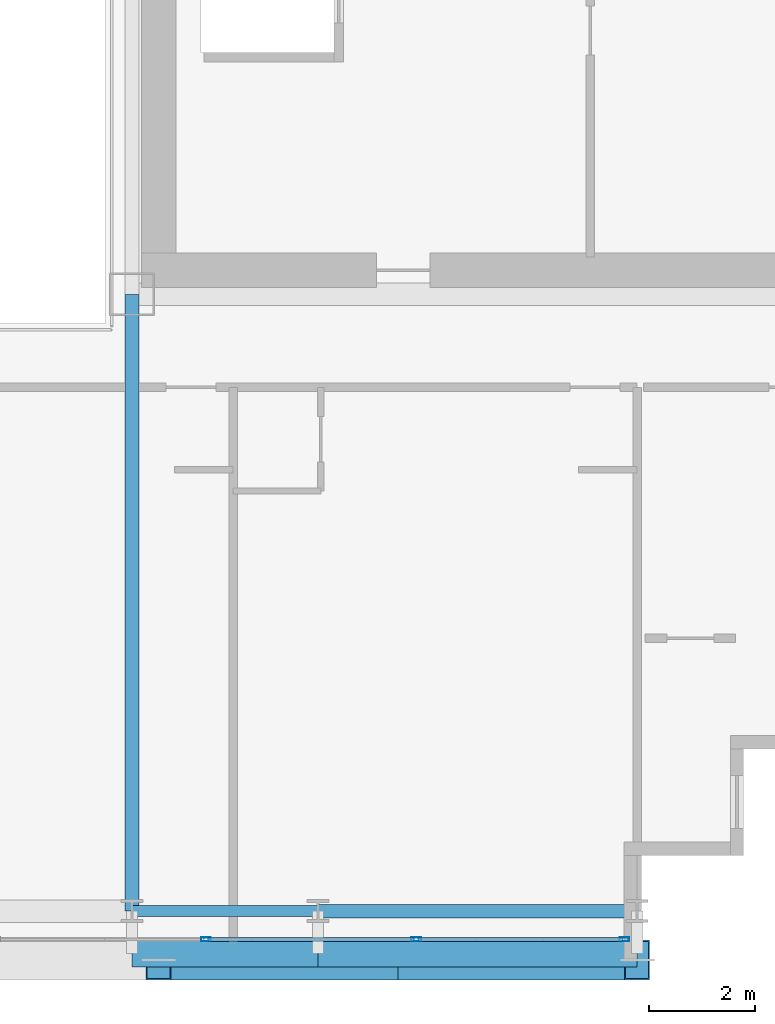
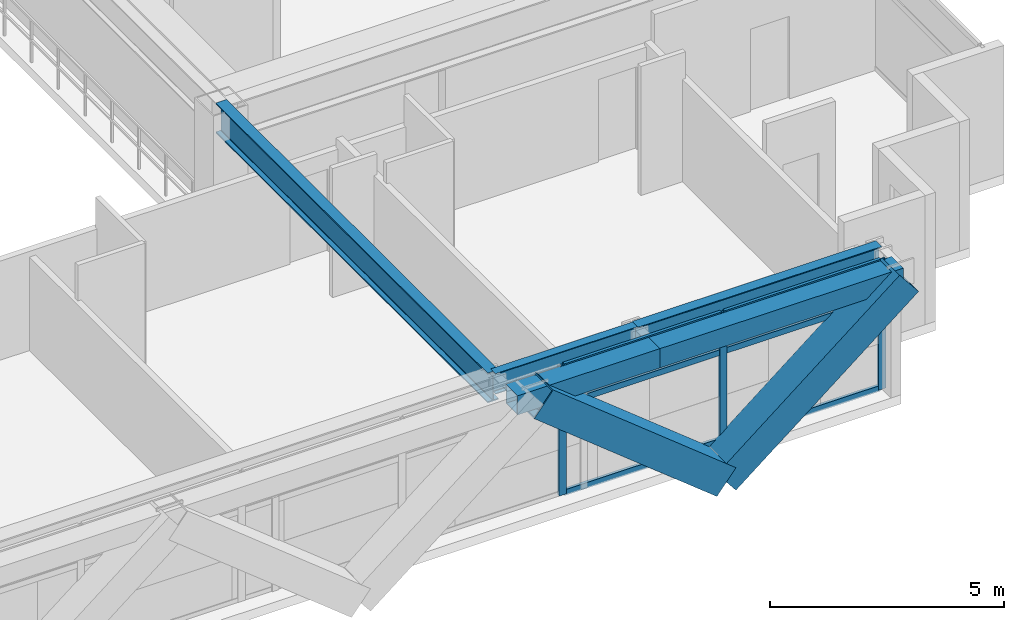
# One storey, part 10 of 35: 11 members, 5 beams, 1 element without a shape of its own.
"""IFC4 building model written with IfcOpenShell, lengths in metres."""

from ifc_helpers import new_model, si_unit, direction, frame, origin, origin_2d, place, context, subcontext, project, spatial, hollow_rectangle, i_section, extrude, source, transform, mapped, material, layer, layer_set, material_profile, profile_set, type_object, element, aggregate, save


model = new_model("IFC4")

# Units and contexts
model_context = context("Model", 3, precision=1e-05, world=origin(), true_north=direction((0.0, 1.0)))
body_context = subcontext(model_context, "Body", "Model", "MODEL_VIEW")
ifc_project = project(units=[si_unit("LENGTHUNIT", "METRE"), si_unit("AREAUNIT", "SQUARE_METRE"), si_unit("VOLUMEUNIT", "CUBIC_METRE"), si_unit("PLANEANGLEUNIT", "RADIAN"), si_unit("MASSUNIT", "GRAM", prefix="KILO")], contexts=[model_context])

# Site, building, storey
site_placement = place(None, origin())
site = spatial("IfcSite", under=ifc_project, at=site_placement, CompositionType="ELEMENT")
building_placement = place(site_placement, origin())
building = spatial("IfcBuilding", under=site, at=building_placement, Name="Ocotamira Hotel", CompositionType="ELEMENT")
storey_placement = place(building_placement, frame((0.0, 0.0, 144.0)))
storey = spatial("IfcBuildingStorey", under=building, at=storey_placement, Name="L36", CompositionType="ELEMENT", Elevation=144.0)

# Beams
ifc_material_1 = material(Name="Steel ASTM A992 Grade 50", Category="steel")
ifc_material_profile_1 = material_profile(ifc_material_1, i_section(OverallWidth=0.256103515625, OverallDepth=0.693115234375, WebThickness=0.014404296875, FlangeThickness=0.023681640625, FilletRadius=0.01611328125, at=origin_2d()), Name="W27X114")
ifc_profile_set_1 = profile_set([ifc_material_profile_1], Name="Steel ASTM A992 Grade 50")
beam_type_1 = type_object("IfcBeamType", Name="BM-PRIM-W27X114", PredefinedType="BEAM", material=ifc_profile_set_1)
shared_shape_1 = source(origin(), body_context, "Body", "SweptSolid", [
    extrude(i_section(OverallWidth=0.256103515625, OverallDepth=0.693115234375, WebThickness=0.014404296875, FlangeThickness=0.023681640625, FilletRadius=0.01611328125, at=origin_2d()), origin(), (0.0, 0.0, 1.0), 6.0),
])
beam_1_placement = place(storey_placement, frame((44.0, 2.949951171875, 3.013427734375), z_axis=(1.0, 0.0, 0.0), x_axis=(0.0, 1.0, 0.0)))
element("IfcBeam", 1, at=beam_1_placement, inside=storey, type_object=beam_type_1, Name="L36 Girder Y2.95 X44-50", PredefinedType="BEAM", context=body_context, shape_type="MappedRepresentation", body=[
    mapped(shared_shape_1, transform((0.0, 0.0, 0.0), scale=1.0)),
])
ifc_material_profile_2 = material_profile(ifc_material_1, i_section(OverallWidth=0.2099609375, OverallDepth=0.537109375, WebThickness=0.010986328125, FlangeThickness=0.017333984375, FilletRadius=0.012939453125, at=origin_2d()), Name="W21X68")
ifc_profile_set_2 = profile_set([ifc_material_profile_2], Name="Steel ASTM A992 Grade 50")
beam_type_2 = type_object("IfcBeamType", Name="BM-SEC-W21X68", PredefinedType="JOIST", material=ifc_profile_set_2)
shared_shape_2 = source(origin(), body_context, "Body", "SweptSolid", [
    extrude(i_section(OverallWidth=0.2099609375, OverallDepth=0.537109375, WebThickness=0.010986328125, FlangeThickness=0.017333984375, FilletRadius=0.012939453125, at=origin_2d()), origin(), (0.0, 0.0, 1.0), 3.5),
])
beam_2_placement = place(storey_placement, frame((40.5, 2.949951171875, 3.091552734375), z_axis=(1.0, 0.0, 0.0), x_axis=(0.0, 1.0, 0.0)))
element("IfcBeam", 2, at=beam_2_placement, inside=storey, type_object=beam_type_2, Name="L36 Girder Y2.95 X40.5-44", PredefinedType="JOIST", context=body_context, shape_type="MappedRepresentation", body=[
    mapped(shared_shape_2, transform((0.0, 0.0, 0.0), scale=1.0)),
])
ifc_material_profile_3 = material_profile(ifc_material_1, i_section(OverallWidth=0.26611328125, OverallDepth=0.779052734375, WebThickness=0.0166015625, FlangeThickness=0.030029296875, FilletRadius=0.01806640625, at=origin_2d()), Name="W30X148")
ifc_profile_set_3 = profile_set([ifc_material_profile_3], Name="Steel ASTM A992 Grade 50")
beam_type_3 = type_object("IfcBeamType", Name="BM-GIRD-W30X148", PredefinedType="BEAM", material=ifc_profile_set_3)
shared_shape_3 = source(origin(), body_context, "Body", "SweptSolid", [
    extrude(i_section(OverallWidth=0.26611328125, OverallDepth=0.779052734375, WebThickness=0.0166015625, FlangeThickness=0.030029296875, FilletRadius=0.01806640625, at=origin_2d()), origin(), (0.0, 0.0, 1.0), 11.60009765625),
])
beam_3_placement = place(storey_placement, frame((40.5, 2.949951171875, 2.970458984375), z_axis=(0.0, 1.0, 0.0), x_axis=(-1.0, 0.0, 0.0)))
element("IfcBeam", 3, at=beam_3_placement, inside=storey, type_object=beam_type_3, Name="L36 Beam X40.5 Y2.95-14.55", PredefinedType="BEAM", context=body_context, shape_type="MappedRepresentation", body=[
    mapped(shared_shape_3, transform((0.0, 0.0, 0.0), scale=1.0)),
])
ifc_material_2 = material(Name="Steel ASTM A500 Grade C", Category="steel")
ifc_material_profile_4 = material_profile(ifc_material_2, hollow_rectangle(XDim=0.5, YDim=0.5, WallThickness=0.02001953125, at=origin_2d()), Name="HSS500X500X20")
ifc_profile_set_4 = profile_set([ifc_material_profile_4], Name="Steel ASTM A500 Grade C")
beam_type_4 = type_object("IfcBeamType", Name="BM-SPAN-HSS500", PredefinedType="USERDEFINED", material=ifc_profile_set_4)
shared_shape_4 = source(origin(), body_context, "Body", "SweptSolid", [
    extrude(hollow_rectangle(XDim=0.5, YDim=0.5, WallThickness=0.02001953125, at=origin_2d()), origin(), (0.0, 0.0, 1.0), 6.0),
])
beam_4_placement = place(storey_placement, frame((44.0, 2.14990234375, 3.110107421875), z_axis=(1.0, 0.0, 0.0), x_axis=(0.0, 1.0, 0.0)))
element("IfcBeam", 4, at=beam_4_placement, inside=storey, type_object=beam_type_4, Name="L36 Edge Spandrel S X44-50", ObjectType="SPANDREL", PredefinedType="USERDEFINED", context=body_context, shape_type="MappedRepresentation", body=[
    mapped(shared_shape_4, transform((0.0, 0.0, 0.0), scale=1.0)),
])
shared_shape_5 = source(origin(), body_context, "Body", "SweptSolid", [
    extrude(hollow_rectangle(XDim=0.5, YDim=0.5, WallThickness=0.02001953125, at=origin_2d()), origin(), (0.0, 0.0, 1.0), 3.5),
])
beam_5_placement = place(storey_placement, frame((40.5, 2.14990234375, 3.110107421875), z_axis=(1.0, 0.0, 0.0), x_axis=(0.0, 1.0, 0.0)))
element("IfcBeam", 5, at=beam_5_placement, inside=storey, type_object=beam_type_4, Name="L36 Edge Spandrel S X40.5-44", ObjectType="SPANDREL", PredefinedType="USERDEFINED", context=body_context, shape_type="MappedRepresentation", body=[
    mapped(shared_shape_5, transform((0.0, 0.0, 0.0), scale=1.0)),
])

# Members
ifc_material_3 = material(Name="Pale-metal coated steel ASTM A913 Grade 65", Category="steel")
ifc_material_profile_5 = material_profile(ifc_material_3, hollow_rectangle(XDim=0.75, YDim=0.75, WallThickness=0.028076171875, at=origin_2d()), Name="BOX750X750X28")
ifc_profile_set_5 = profile_set([ifc_material_profile_5], Name="Pale-metal coated steel ASTM A913 Grade 65")
member_type_1 = type_object("IfcMemberType", Name="MEM-EXO-BOX750", PredefinedType="BRACE", material=ifc_profile_set_5)
shared_shape_6 = source(origin(), body_context, "Body", "SweptSolid", [
    extrude(hollow_rectangle(XDim=0.75, YDim=0.75, WallThickness=0.028076171875, at=origin_2d()), origin(), (0.0, 0.0, 1.0), 5.762939453125),
])
for number, where, z_axis, x_axis, name in (
    (6, (45.5, 2.030029296875, -0.489990234375), (-0.780860543151, 0.0, 0.624705380279), (0.0, -1.0, 0.0), "L36 Exoskeleton Diagrid S3.1"),
    (7, (45.5, 2.030029296875, -0.489990234375), (0.780860543151, 0.0, 0.624705380279), (0.0, 1.0, 0.0), "L36 Exoskeleton Diagrid S3.2"),
):
    element("IfcMember", number, at=place(storey_placement, frame(where, z_axis=z_axis, x_axis=x_axis)), inside=storey, type_object=member_type_1, Name=name, PredefinedType="BRACE", context=body_context, shape_type="MappedRepresentation", body=[
        mapped(shared_shape_6, transform((0.0, 0.0, 0.0), scale=1.0)),
    ])

# Curtain wall, members
ifc_material_4 = material(Name="Anodised pale-metal aluminium and solar glass", Category="aluminium")
ifc_layer = layer(ifc_material_4, 0.179931640625)
ifc_layer_set = layer_set([ifc_layer], Name="Anodised pale-metal aluminium and solar glass")
curtain_wall_type = type_object("IfcCurtainWallType", Name="CW-SYS3-Z2", PredefinedType="NOTDEFINED", material=ifc_layer_set)
curtain_wall_placement = place(storey_placement, origin())
curtain_wall = element("IfcCurtainWall", 8, at=curtain_wall_placement, inside=storey, type_object=curtain_wall_type, Name="L36 Curtain Wall CW-3 CW-L36-S1", PredefinedType="NOTDEFINED")
ifc_material_5 = material(Name="Anodised pale-metal aluminium 6063-T6", Category="aluminium")
ifc_material_profile_6 = material_profile(ifc_material_5, hollow_rectangle(XDim=0.074951171875, YDim=0.14990234375, WallThickness=0.006103515625, at=origin_2d()), Name="HSS150X75X6")
ifc_profile_set_6 = profile_set([ifc_material_profile_6], Name="Anodised pale-metal aluminium 6063-T6")
member_type_2 = type_object("IfcMemberType", Name="CWT-150X75", PredefinedType="USERDEFINED", material=ifc_profile_set_6)
shared_shape_7 = source(origin(), body_context, "Body", "SweptSolid", [
    extrude(hollow_rectangle(XDim=0.074951171875, YDim=0.14990234375, WallThickness=0.006103515625, at=origin_2d()), origin(), (0.0, 0.0, 1.0), 3.83544921875),
])
member_1_placement = place(storey_placement, frame((45.884521484375, 2.419921875, 0.03759765625), z_axis=(1.0, 0.0, 0.0), x_axis=(0.0, 1.0, 0.0)))
member_1 = element("IfcMember", 9, at=member_1_placement, type_object=member_type_2, Name="CW-3 transom 9.1", ObjectType="TRANSOM", PredefinedType="USERDEFINED", context=body_context, shape_type="MappedRepresentation", body=[
    mapped(shared_shape_7, transform((0.0, 0.0, 0.0), scale=1.0)),
])
member_2_placement = place(storey_placement, frame((45.884521484375, 2.419921875, 2.35009765625), z_axis=(1.0, 0.0, 0.0), x_axis=(0.0, 1.0, 0.0)))
member_2 = element("IfcMember", 10, at=member_2_placement, type_object=member_type_2, Name="CW-3 transom 9.2", ObjectType="TRANSOM", PredefinedType="USERDEFINED", context=body_context, shape_type="MappedRepresentation", body=[
    mapped(shared_shape_7, transform((0.0, 0.0, 0.0), scale=1.0)),
])
member_3_placement = place(storey_placement, frame((45.884521484375, 2.419921875, 3.322509765625), z_axis=(1.0, 0.0, 0.0), x_axis=(0.0, 1.0, 0.0)))
member_3 = element("IfcMember", 11, at=member_3_placement, type_object=member_type_2, Name="CW-3 transom 9.3", ObjectType="TRANSOM", PredefinedType="USERDEFINED", context=body_context, shape_type="MappedRepresentation", body=[
    mapped(shared_shape_7, transform((0.0, 0.0, 0.0), scale=1.0)),
])
shared_shape_8 = source(origin(), body_context, "Body", "SweptSolid", [
    extrude(hollow_rectangle(XDim=0.074951171875, YDim=0.14990234375, WallThickness=0.006103515625, at=origin_2d()), origin(), (0.0, 0.0, 1.0), 3.87548828125),
])
member_4_placement = place(storey_placement, frame((41.928955078125, 2.419921875, 0.03759765625), z_axis=(1.0, 0.0, 0.0), x_axis=(0.0, 1.0, 0.0)))
member_4 = element("IfcMember", 12, at=member_4_placement, type_object=member_type_2, Name="CW-3 transom 8.1", ObjectType="TRANSOM", PredefinedType="USERDEFINED", context=body_context, shape_type="MappedRepresentation", body=[
    mapped(shared_shape_8, transform((0.0, 0.0, 0.0), scale=1.0)),
])
member_5_placement = place(storey_placement, frame((41.928955078125, 2.419921875, 2.35009765625), z_axis=(1.0, 0.0, 0.0), x_axis=(0.0, 1.0, 0.0)))
member_5 = element("IfcMember", 13, at=member_5_placement, type_object=member_type_2, Name="CW-3 transom 8.2", ObjectType="TRANSOM", PredefinedType="USERDEFINED", context=body_context, shape_type="MappedRepresentation", body=[
    mapped(shared_shape_8, transform((0.0, 0.0, 0.0), scale=1.0)),
])
member_6_placement = place(storey_placement, frame((41.928955078125, 2.419921875, 3.322509765625), z_axis=(1.0, 0.0, 0.0), x_axis=(0.0, 1.0, 0.0)))
member_6 = element("IfcMember", 14, at=member_6_placement, type_object=member_type_2, Name="CW-3 transom 8.3", ObjectType="TRANSOM", PredefinedType="USERDEFINED", context=body_context, shape_type="MappedRepresentation", body=[
    mapped(shared_shape_8, transform((0.0, 0.0, 0.0), scale=1.0)),
])
ifc_material_profile_7 = material_profile(ifc_material_5, hollow_rectangle(XDim=0.080078125, YDim=0.179931640625, WallThickness=0.006103515625, at=origin_2d()), Name="HSS180X80X6")
ifc_profile_set_7 = profile_set([ifc_material_profile_7], Name="Anodised pale-metal aluminium 6063-T6")
member_type_3 = type_object("IfcMemberType", Name="CWM-180X75", PredefinedType="MULLION", material=ifc_profile_set_7)
shared_shape_9 = source(origin(), body_context, "Body", "SweptSolid", [
    extrude(hollow_rectangle(XDim=0.080078125, YDim=0.179931640625, WallThickness=0.006103515625, at=origin_2d()), origin(), (0.0, 0.0, 1.0), 3.360107421875),
])
member_7_placement = place(storey_placement, frame((41.888916015625, 2.419921875, 0.0), z_axis=(0.0, 0.0, 1.0), x_axis=(0.0, 1.0, 0.0)))
member_7 = element("IfcMember", 15, at=member_7_placement, type_object=member_type_3, Name="CW-3 mullion 8", PredefinedType="MULLION", context=body_context, shape_type="MappedRepresentation", body=[
    mapped(shared_shape_9, transform((0.0, 0.0, 0.0), scale=1.0)),
])
member_8_placement = place(storey_placement, frame((45.844482421875, 2.419921875, 0.0), z_axis=(0.0, 0.0, 1.0), x_axis=(0.0, 1.0, 0.0)))
member_8 = element("IfcMember", 16, at=member_8_placement, type_object=member_type_3, Name="CW-3 mullion 9", PredefinedType="MULLION", context=body_context, shape_type="MappedRepresentation", body=[
    mapped(shared_shape_9, transform((0.0, 0.0, 0.0), scale=1.0)),
])
member_9_placement = place(storey_placement, frame((49.760009765625, 2.419921875, 0.0), z_axis=(0.0, 0.0, 1.0), x_axis=(0.0, 1.0, 0.0)))
member_9 = element("IfcMember", 17, at=member_9_placement, type_object=member_type_3, Name="CW-3 mullion 10", PredefinedType="MULLION", context=body_context, shape_type="MappedRepresentation", body=[
    mapped(shared_shape_9, transform((0.0, 0.0, 0.0), scale=1.0)),
])
aggregate(curtain_wall, [member_7, member_8, member_9, member_4, member_5, member_6, member_1, member_2, member_3])

save(model, "model.ifc")
